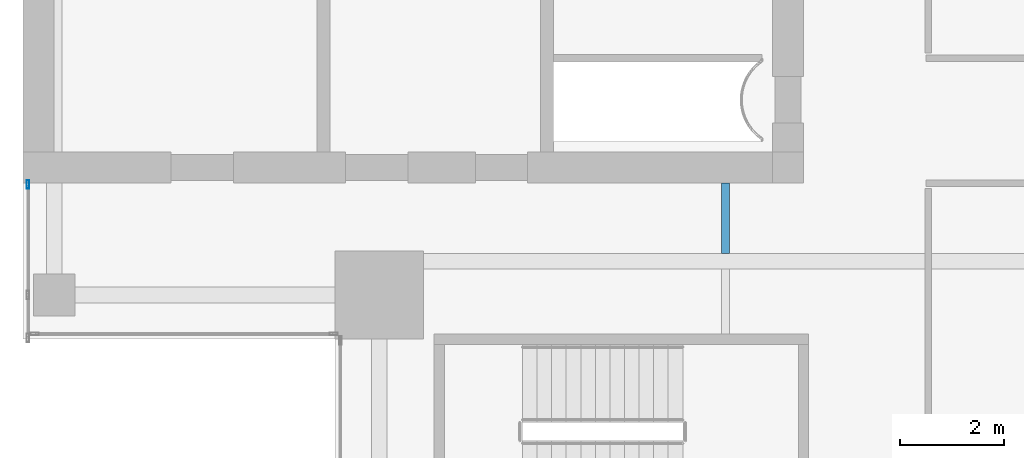
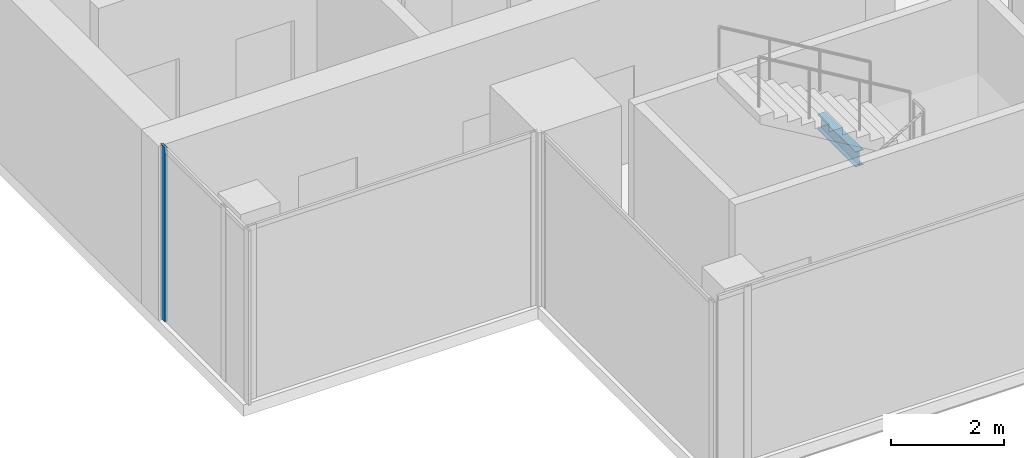
# One storey, part 4 of 29: 1 beam, 1 member, 1 element without a shape of its own.
"""IFC4 building model written with IfcOpenShell, lengths in metres."""

from ifc_helpers import new_model, si_unit, direction, frame, origin, origin_2d, place, context, subcontext, project, spatial, hollow_rectangle, i_section, extrude, source, transform, mapped, material, material_profile, profile_set, type_object, element, aggregate, save


model = new_model("IFC4")

# Units and contexts
model_context = context("Model", 3, precision=1e-05, world=origin(), true_north=direction((0.0, 1.0)))
body_context = subcontext(model_context, "Body", "Model", "MODEL_VIEW")
ifc_project = project(units=[si_unit("LENGTHUNIT", "METRE"), si_unit("AREAUNIT", "SQUARE_METRE"), si_unit("VOLUMEUNIT", "CUBIC_METRE"), si_unit("PLANEANGLEUNIT", "RADIAN"), si_unit("MASSUNIT", "GRAM", prefix="KILO")], contexts=[model_context])

# Site, building, storey
site_placement = place(None, origin())
site = spatial("IfcSite", under=ifc_project, at=site_placement, CompositionType="ELEMENT")
building_placement = place(site_placement, origin())
building = spatial("IfcBuilding", under=site, at=building_placement, Name="Khomas Fold Tower", CompositionType="ELEMENT")
storey_placement = place(building_placement, frame((0.0, 0.0, 326.199951171875)))
storey = spatial("IfcBuildingStorey", under=building, at=storey_placement, Name="L74", CompositionType="ELEMENT", Elevation=326.199951171875)

# Beam
ifc_material_1 = material(Name="Steel S355", Category="steel")
ifc_material_profile_1 = material_profile(ifc_material_1, i_section(OverallWidth=0.159912109375, OverallDepth=0.330078125, WebThickness=0.007568359375, FlangeThickness=0.011474609375, at=origin_2d()), Name="IPE 330")
ifc_profile_set_1 = profile_set([ifc_material_profile_1], Name="Steel S355")
beam_type = type_object("IfcBeamType", Name="IPE 330 beam JB1", PredefinedType="BEAM", material=ifc_profile_set_1)
shared_shape_1 = source(origin(), body_context, "Body", "SweptSolid", [
    extrude(i_section(OverallWidth=0.159912109375, OverallDepth=0.330078125, WebThickness=0.007568359375, FlangeThickness=0.011474609375, at=origin_2d()), origin(), (0.0, 0.0, 1.0), 1.35009765625),
])
beam_placement = place(storey_placement, frame((19.5, 13.64990234375, -0.4150390625), z_axis=(0.0, 1.0, 0.0), x_axis=(-1.0, 0.0, 0.0)))
element("IfcBeam", 1, at=beam_placement, inside=storey, type_object=beam_type, Name="JB1", PredefinedType="BEAM", context=body_context, shape_type="MappedRepresentation", body=[
    mapped(shared_shape_1, transform((0.0, 0.0, 0.0))),
])

# Curtain wall, member
ifc_material_2 = material(Name="Aluminium framed double glazing", Category="aluminium")
curtain_wall_type = type_object("IfcCurtainWallType", Name="SK-Unitised clear-glass wall, upper floors CW3", PredefinedType="NOTDEFINED", material=ifc_material_2)
curtain_wall_placement = place(storey_placement, origin())
curtain_wall = element("IfcCurtainWall", 2, at=curtain_wall_placement, inside=storey, type_object=curtain_wall_type, Name="CW3 run L74 09-1", PredefinedType="NOTDEFINED")
ifc_material_3 = material(Name="Aluminium", Category="aluminium")
ifc_material_profile_2 = material_profile(ifc_material_3, hollow_rectangle(XDim=0.050048828125, YDim=0.159912109375, WallThickness=0.00390625, at=origin_2d()), Name="SK-Unitised clear-glass wall, upper floors mullion CW3-M")
ifc_profile_set_2 = profile_set([ifc_material_profile_2], Name="Aluminium")
member_type = type_object("IfcMemberType", Name="SK-Unitised clear-glass wall, upper floors mullion CW3-M", PredefinedType="MULLION", material=ifc_profile_set_2)
shared_shape_2 = source(origin(), body_context, "Body", "SweptSolid", [
    extrude(hollow_rectangle(XDim=0.050048828125, YDim=0.159912109375, WallThickness=0.00390625, at=origin_2d()), origin(), (0.0, 0.0, 1.0), 3.75),
])
member_placement = place(storey_placement, frame((6.10009765625, 14.97509765625, 0.0), z_axis=(0.0, 0.0, 1.0), x_axis=(1.0, 0.0, 0.0)))
member = element("IfcMember", 3, at=member_placement, type_object=member_type, Name="CW3 mullion 1", PredefinedType="MULLION", context=body_context, shape_type="MappedRepresentation", body=[
    mapped(shared_shape_2, transform((0.0, 0.0, 0.0))),
])
aggregate(curtain_wall, [member])

save(model, "model.ifc")
